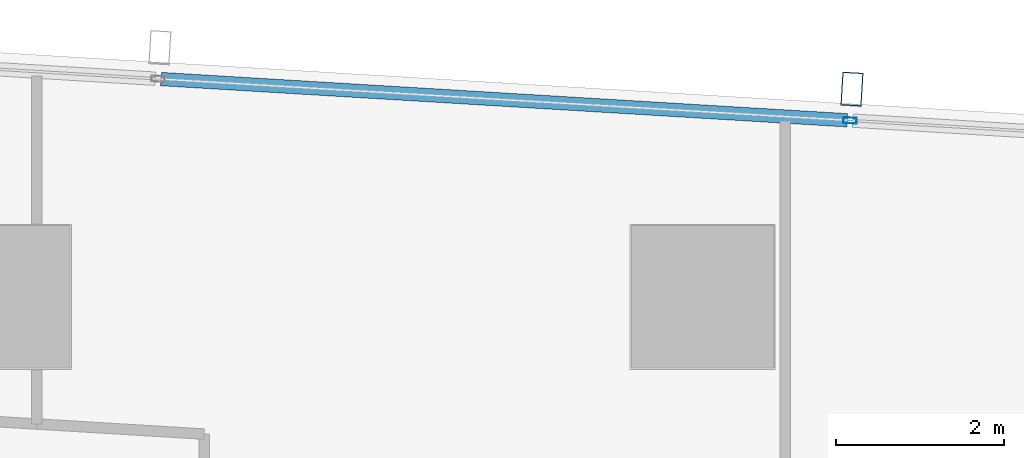
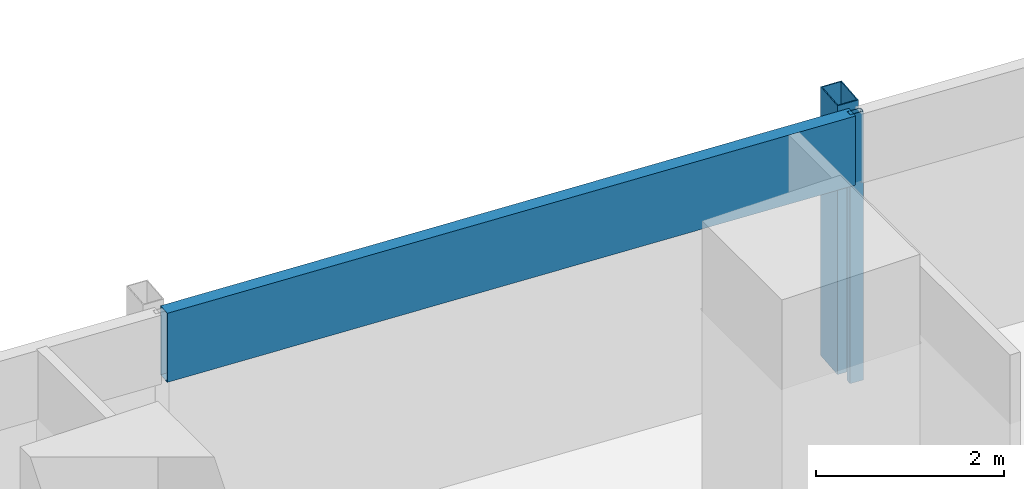
# One storey, part 21 of 40: 3 members, 1 element without a shape of its own.
"""IFC4 building model written with IfcOpenShell, lengths in metres."""

from ifc_helpers import new_model, si_unit, direction, frame, origin, origin_2d, place, context, subcontext, project, spatial, hollow_rectangle, extrude, material, material_profile, profile_set, type_object, element, aggregate, save


model = new_model("IFC4")

# Units and contexts
model_context = context("Model", 3, precision=1e-05, world=origin(), true_north=direction((0.0, 1.0)))
body_context = subcontext(model_context, "Body", "Model", "MODEL_VIEW")
ifc_project = project(units=[si_unit("LENGTHUNIT", "METRE"), si_unit("AREAUNIT", "SQUARE_METRE"), si_unit("VOLUMEUNIT", "CUBIC_METRE"), si_unit("PLANEANGLEUNIT", "RADIAN"), si_unit("MASSUNIT", "GRAM", prefix="KILO")], contexts=[model_context])

# Site, building, storey
site_placement = place(None, origin())
site = spatial("IfcSite", under=ifc_project, at=site_placement, CompositionType="ELEMENT")
building_placement = place(site_placement, origin())
building = spatial("IfcBuilding", under=site, at=building_placement, Name="Rekha Terrace Tower", CompositionType="ELEMENT")
storey_placement = place(building_placement, frame((0.0, 0.0, 129.050048828125)))
storey = spatial("IfcBuildingStorey", under=building, at=storey_placement, Name="L32", CompositionType="ELEMENT", Elevation=129.050048828125)

# Curtain wall, members
ifc_material_1 = material(Name="Aluminium framing", Category="aluminium")
curtain_wall_type = type_object("IfcCurtainWallType", Name="CW3 north unitised glazing", PredefinedType="USERDEFINED", material=ifc_material_1)
curtain_wall_placement = place(storey_placement, origin())
curtain_wall = element("IfcCurtainWall", 1, at=curtain_wall_placement, inside=storey, type_object=curtain_wall_type, Name="CW3 unitised curtain wall", ObjectType="UNITISED CURTAIN WALL", PredefinedType="USERDEFINED")
ifc_material_2 = material(Name="Steel S355 with fluorocarbon finish", Category="steel")
ifc_material_profile_1 = material_profile(ifc_material_2, hollow_rectangle(XDim=0.25, YDim=0.39990234375, WallThickness=0.012451171875, at=origin_2d()), Name="RHS400x250x12.5")
ifc_profile_set_1 = profile_set([ifc_material_profile_1], Name="Steel S355 with fluorocarbon finish")
member_type_1 = type_object("IfcMemberType", Name="BL1 facade blade RHS 400 x 250", PredefinedType="USERDEFINED", material=ifc_profile_set_1)
member_1_placement = place(storey_placement, frame((60.583740234375, 61.281005859375, 0.0), z_axis=(0.0, 0.0, 1.0), x_axis=(-0.998199123409, 0.059987582268, 0.0)))
member_1 = element("IfcMember", 2, at=member_1_placement, type_object=member_type_1, Name="Facade blade", ObjectType="FACADE BLADE", PredefinedType="USERDEFINED", context=body_context, shape_type="SweptSolid", body=[
    extrude(hollow_rectangle(XDim=0.25, YDim=0.39990234375, WallThickness=0.012451171875, at=origin_2d()), origin(), (0.0, 0.0, 1.0), 3.5),
])
ifc_material_3 = material(Name="Aluminium mullion section", Category="aluminium")
ifc_material_profile_2 = material_profile(ifc_material_3, hollow_rectangle(XDim=0.070068359375, YDim=0.159912109375, WallThickness=0.00390625, at=origin_2d()), Name="AL RHS 70x160")
ifc_profile_set_2 = profile_set([ifc_material_profile_2], Name="Aluminium mullion section")
member_type_2 = type_object("IfcMemberType", Name="CW3 mullion RHS 70 x 160", PredefinedType="MULLION", material=ifc_profile_set_2)
member_2_placement = place(storey_placement, frame((60.561279296875, 60.90673828125, 0.0), z_axis=(0.0, 0.0, 1.0), x_axis=(-0.059987926837, -0.998199102701, 0.0)))
member_2 = element("IfcMember", 3, at=member_2_placement, type_object=member_type_2, Name="CW3 mullion 2", PredefinedType="MULLION", context=body_context, shape_type="SweptSolid", body=[
    extrude(hollow_rectangle(XDim=0.070068359375, YDim=0.159912109375, WallThickness=0.00390625, at=origin_2d()), origin(), (0.0, 0.0, 1.0), 3.5),
])
ifc_material_4 = material(Name="Insulated aluminium spandrel box", Category="aluminium")
ifc_material_profile_3 = material_profile(ifc_material_4, hollow_rectangle(XDim=0.159912109375, YDim=0.89990234375, WallThickness=0.0029296875, at=origin_2d()), Name="AL SPANDREL BOX 160x900")
ifc_profile_set_3 = profile_set([ifc_material_profile_3], Name="Insulated aluminium spandrel box")
member_type_3 = type_object("IfcMemberType", Name="CW3 spandrel transom 160 x 900", PredefinedType="USERDEFINED", material=ifc_profile_set_3)
member_3_placement = place(storey_placement, frame((60.5263671875, 60.908935546875, 3.050048828125), z_axis=(-0.998199826332, 0.059975884418, 0.0), x_axis=(-0.059975884418, -0.998199826332, 0.0)))
member_3 = element("IfcMember", 4, at=member_3_placement, type_object=member_type_3, Name="CW3 spandrel transom 2", ObjectType="TRANSOM", PredefinedType="USERDEFINED", context=body_context, shape_type="SweptSolid", body=[
    extrude(hollow_rectangle(XDim=0.159912109375, YDim=0.89990234375, WallThickness=0.0029296875, at=origin_2d()), origin(), (0.0, 0.0, 1.0), 8.20654296875),
])
aggregate(curtain_wall, [member_2, member_3, member_1])

save(model, "model.ifc")
